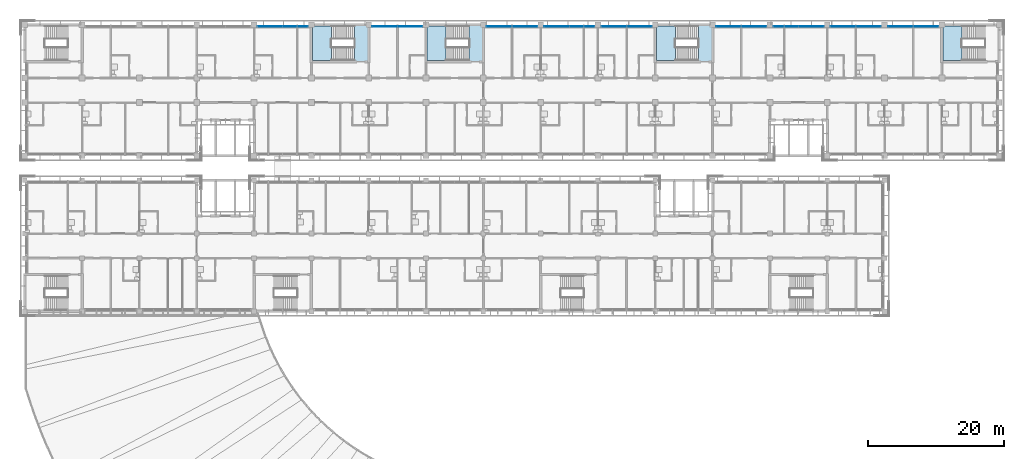
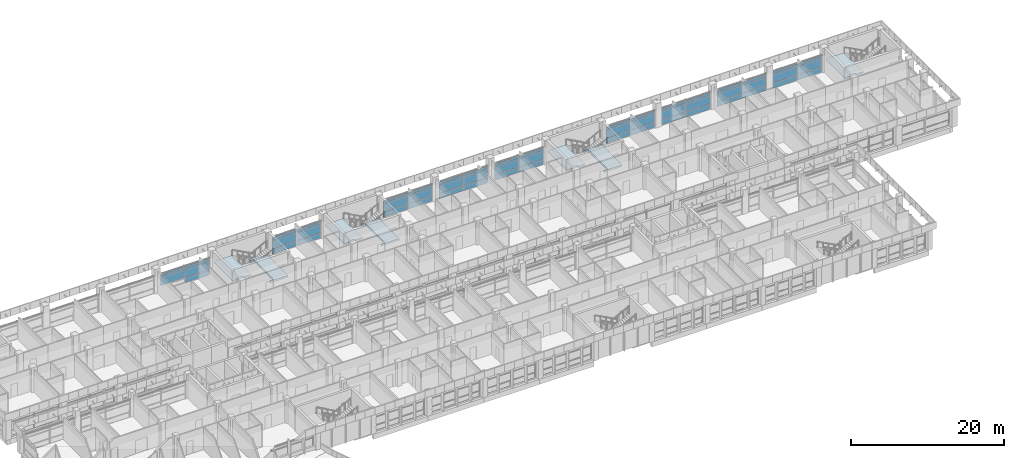
# One storey, part 26 of 74: 53 plates, 7 slabs, 13 elements without a shape of their own.
"""IFC4 building model written with IfcOpenShell, lengths in metres."""

import ifcopenshell
import ifcopenshell.guid

model = None  # the IFC model being written
_history = None  # IfcOwnerHistory: only IFC2X3 demands one
_inside = {}  # id of a spatial element -> (the spatial element, [elements in it])
_under = {}  # id of a project, library or spatial element -> (it, [spatial elements below it])
_declared = {}  # id of a project -> (the project, [libraries it declares])
_typed = {}  # id of a type object -> (the type object, [elements of that type])
_made_of = {}  # id of a material, layer set ... -> (it, [elements and type objects made of it])


def new_model(schema):
    """Start an empty IFC model of exactly this schema.

    Asked for "IFC4X3", IfcOpenShell would pick the latest addendum, in which some entities
    have other attributes; the version numbers below select the first issue.
    IFC2X3 requires an IfcOwnerHistory on every rooted entity: one is made here for all.
    """
    global model, _history
    if schema == "IFC4X3":
        model = ifcopenshell.file(schema_version=(4, 3, 0, 0))
    else:
        model = ifcopenshell.file(schema=schema)
    _inside.clear()
    _under.clear()
    _declared.clear()
    _typed.clear()
    _made_of.clear()
    _history = None
    if model.schema == "IFC2X3":
        org = make("IfcOrganization", Name="unknown")
        user = make(
            "IfcPersonAndOrganization",
            ThePerson=make("IfcPerson", FamilyName="unknown"),
            TheOrganization=org,
        )
        app = make(
            "IfcApplication",
            ApplicationDeveloper=org,
            Version="unknown",
            ApplicationFullName="unknown",
            ApplicationIdentifier="unknown",
        )
        _history = make(
            "IfcOwnerHistory",
            OwningUser=user,
            OwningApplication=app,
            ChangeAction="ADDED",
            CreationDate=0,
        )
    return model


def make(cls, **values):
    """One entity of the class cls with the attributes given. An attribute that is None is left unset."""
    return model.create_entity(
        cls, **{name: value for name, value in values.items() if value is not None}
    )


def rooted(cls, **values):
    """An entity with a GlobalId (a new one), such as an element, a storey or a relation."""
    return make(cls, GlobalId=ifcopenshell.guid.new(), OwnerHistory=_history, **values)


def si_unit(unit_type, name, prefix=None):
    """IfcSIUnit, for example si_unit("LENGTHUNIT", "METRE", prefix="MILLI")."""
    return make("IfcSIUnit", UnitType=unit_type, Prefix=prefix, Name=name)


def assignment(units):
    """IfcUnitAssignment: the units of a project."""
    return None if units is None else make("IfcUnitAssignment", Units=units)


def point(xyz):
    """IfcCartesianPoint."""
    return None if xyz is None else make("IfcCartesianPoint", Coordinates=xyz)


def direction(xyz):
    """IfcDirection."""
    return None if xyz is None else make("IfcDirection", DirectionRatios=xyz)


def frame(location, z_axis=None, x_axis=None):
    """IfcAxis2Placement3D, a coordinate frame: its origin and axes. An axis left out is left unset."""
    return make(
        "IfcAxis2Placement3D",
        Location=point(location),
        Axis=direction(z_axis),
        RefDirection=direction(x_axis),
    )


def frame_2d(location, x_axis=None):
    """IfcAxis2Placement2D, a coordinate frame in the plane: its origin and x axis."""
    return make(
        "IfcAxis2Placement2D", Location=point(location), RefDirection=direction(x_axis)
    )


def origin():
    """The frame at (0, 0, 0) with its axes left unset."""
    return frame((0.0, 0.0, 0.0))


def origin_2d():
    """The frame at (0, 0) in the plane with its x axis left unset."""
    return frame_2d((0.0, 0.0))


def place(relative_to, where):
    """IfcLocalPlacement: puts the frame where relative to a parent placement (None: the world)."""
    return make(
        "IfcLocalPlacement", PlacementRelTo=relative_to, RelativePlacement=where
    )


def context(
    kind, dimensions, precision=None, world=None, true_north=None, identifier=None
):
    """IfcGeometricRepresentationContext, for example the 3D "Model" context."""
    return make(
        "IfcGeometricRepresentationContext",
        ContextIdentifier=identifier,
        ContextType=kind,
        CoordinateSpaceDimension=dimensions,
        Precision=precision,
        WorldCoordinateSystem=world,
        TrueNorth=true_north,
    )


def subcontext(parent, identifier, kind, view, scale=None):
    """IfcGeometricRepresentationSubContext, for example "Body" below "Model"."""
    return make(
        "IfcGeometricRepresentationSubContext",
        ContextIdentifier=identifier,
        ContextType=kind,
        ParentContext=parent,
        TargetScale=scale,
        TargetView=view,
    )


def project(units=None, contexts=None):
    """IfcProject with its units and contexts."""
    return rooted(
        "IfcProject",
        Name="project",
        RepresentationContexts=contexts,
        UnitsInContext=assignment(units),
    )


def spatial(cls, under=None, at=None, **own):
    """A site, building, storey or space (cls), placed at a placement, below another one or the project."""
    s = rooted(cls, ObjectPlacement=at, **own)
    if under is not None:
        _under.setdefault(under.id(), (under, []))[1].append(s)
    return s


def polyline(points):
    """IfcPolyline through the points."""
    return make("IfcPolyline", Points=[point(p) for p in points])


def profile(cls, at=None, kind="AREA", **sizes):
    """A parametric profile (cls). Its sizes go by their IFC names, for example OverallWidth=200.0."""
    return make(cls, ProfileType=kind, Position=at, **sizes)


def rectangle(**sizes):
    """IfcRectangleProfileDef."""
    return profile("IfcRectangleProfileDef", **sizes)


def outline(outer, holes=None, kind="AREA"):
    """IfcArbitraryClosedProfileDef: a profile drawn as a closed curve; with holes, ...WithVoids."""
    if holes is None:
        return make("IfcArbitraryClosedProfileDef", ProfileType=kind, OuterCurve=outer)
    return make(
        "IfcArbitraryProfileDefWithVoids",
        ProfileType=kind,
        OuterCurve=outer,
        InnerCurves=holes,
    )


def extrude(swept, where, along, depth):
    """IfcExtrudedAreaSolid: the profile swept, set in the frame where, extruded along a direction by depth."""
    return make(
        "IfcExtrudedAreaSolid",
        SweptArea=swept,
        Position=where,
        ExtrudedDirection=direction(along),
        Depth=depth,
    )


def shape(context_of_items, identifier, shape_type, items):
    """IfcShapeRepresentation: the items that make up one representation, for example the "Body"."""
    return make(
        "IfcShapeRepresentation",
        ContextOfItems=context_of_items,
        RepresentationIdentifier=identifier,
        RepresentationType=shape_type,
        Items=items,
    )


def material(Name=None, Category=None):
    """IfcMaterial."""
    return make("IfcMaterial", Name=Name, Category=Category)


def layer(
    of_material, thickness, ventilated=None, Name=None, Category=None, Priority=None
):
    """IfcMaterialLayer: one layer of a wall or slab, of a material (None: an air gap)."""
    return make(
        "IfcMaterialLayer",
        Material=of_material,
        LayerThickness=thickness,
        IsVentilated=ventilated,
        Name=Name,
        Category=Category,
        Priority=Priority,
    )


def layer_set(layers, Name=None):
    """IfcMaterialLayerSet."""
    return make("IfcMaterialLayerSet", MaterialLayers=layers, LayerSetName=Name)


def made_of(thing, what):
    """Note that an element or type object is made of a material, layer set ...; save() writes the relation."""
    if what is not None:
        _made_of.setdefault(what.id(), (what, []))[1].append(thing)
    return thing


def type_object(cls, material=None, **own):
    """A type object (cls), such as IfcWallType, which elements share."""
    return made_of(rooted(cls, **own), material)


def element(
    cls,
    number,
    at=None,
    inside=None,
    cuts=None,
    type_object=None,
    material=None,
    context=None,
    identifier="Body",
    shape_type=None,
    held_by="IfcProductDefinitionShape",
    body=None,
    shapes=None,
    **own,
):
    """One element of the class cls, such as IfcWall. Its Tag is "e" and its number.

    at: its placement. inside: the storey or other place that contains it. cuts: it is an
    opening in that element (IfcRelVoidsElement). A single representation is given by context,
    identifier, shape_type and body (its items); several are given by shapes. held_by: the class
    of the entity that holds the representations. save() writes the other relations.
    """
    e = rooted(cls, Tag="e%d" % number, ObjectPlacement=at, **own)
    if body is not None:
        shapes = [shape(context, identifier, shape_type, body)]
    if shapes is not None:
        e.Representation = make(held_by, Representations=shapes)
    if inside is not None:
        _inside.setdefault(inside.id(), (inside, []))[1].append(e)
    if cuts is not None:
        rooted(
            "IfcRelVoidsElement", RelatingBuildingElement=cuts, RelatedOpeningElement=e
        )
    if type_object is not None:
        _typed.setdefault(type_object.id(), (type_object, []))[1].append(e)
    return made_of(e, material)


def aggregate(whole, parts):
    """IfcRelAggregates: a whole, such as a stair, and the parts it consists of."""
    return rooted("IfcRelAggregates", RelatingObject=whole, RelatedObjects=parts)


def save(model, path):
    """Write the relations noted so far, then the file.

    IfcRelAggregates (storeys below a building ...), IfcRelContainedInSpatialStructure (elements
    in a storey), IfcRelDefinesByType, IfcRelAssociatesMaterial and IfcRelDeclares: one each for
    every whole, place, type object, material and project.
    """
    for whole, parts in _under.values():
        aggregate(whole, parts)
    for where, things in _inside.values():
        rooted(
            "IfcRelContainedInSpatialStructure",
            RelatedElements=things,
            RelatingStructure=where,
        )
    for kind, things in _typed.values():
        rooted("IfcRelDefinesByType", RelatedObjects=things, RelatingType=kind)
    for what, things in _made_of.values():
        rooted("IfcRelAssociatesMaterial", RelatedObjects=things, RelatingMaterial=what)
    for by, libraries in _declared.values():
        rooted("IfcRelDeclares", RelatingContext=by, RelatedDefinitions=libraries)
    model.write(path)


model = new_model("IFC4")

# Units and contexts
model_context = context("Model", 3, precision=1e-05, world=origin(), true_north=direction((0.0, 1.0)))
body_context = subcontext(model_context, "Body", "Model", "MODEL_VIEW")
ifc_project = project(units=[si_unit("LENGTHUNIT", "METRE"), si_unit("AREAUNIT", "SQUARE_METRE"), si_unit("VOLUMEUNIT", "CUBIC_METRE"), si_unit("PLANEANGLEUNIT", "RADIAN"), si_unit("MASSUNIT", "GRAM", prefix="KILO")], contexts=[model_context])

# Site, building, storey
site_placement = place(None, origin())
site = spatial("IfcSite", under=ifc_project, at=site_placement, CompositionType="ELEMENT")
building_placement = place(site_placement, origin())
building = spatial("IfcBuilding", under=site, at=building_placement, Name="Bougainvillea Quay General Hospital", CompositionType="ELEMENT")
storey_placement = place(building_placement, frame((0.0, 0.0, 21.0)))
storey = spatial("IfcBuildingStorey", under=building, at=storey_placement, Name="L04", CompositionType="ELEMENT", Elevation=21.0)

# Curtain wall, plates
ifc_material_1 = material(Name="Aluminium curtain wall system, powder-coated glazed", Category="aluminium")
curtain_wall_type = type_object("IfcCurtainWallType", Name="Unitised curtain wall CW-3730", PredefinedType="NOTDEFINED", material=ifc_material_1)
curtain_wall_1_placement = place(storey_placement, origin())
curtain_wall_1 = element("IfcCurtainWall", 1, at=curtain_wall_1_placement, inside=storey, type_object=curtain_wall_type, Name="CW-4200 00", PredefinedType="NOTDEFINED")
ifc_material_2 = material(Name="Insulated aluminium spandrel panel, white", Category="aluminium")
ifc_layer_1 = layer(ifc_material_2, 0.028076171875)
ifc_layer_set_1 = layer_set([ifc_layer_1], Name="Insulated aluminium spandrel panel, white")
plate_type_1 = type_object("IfcPlateType", Name="Insulated spandrel panel white 28", PredefinedType="CURTAIN_PANEL", material=ifc_layer_set_1)
plate_1_placement = place(storey_placement, frame((174.050048828125, 159.35009765625, 0.06005859375), z_axis=(0.0, 0.0, 1.0), x_axis=(-1.0, 0.0, 0.0)))
plate_1 = element("IfcPlate", 2, at=plate_1_placement, type_object=plate_type_1, Name="CW-4200 spandrel panel 1.1", PredefinedType="CURTAIN_PANEL", context=body_context, shape_type="SweptSolid", body=[
    extrude(rectangle(XDim=3.639892578125, YDim=0.028076171875, at=origin_2d()), origin(), (0.0, 0.0, 1.0), 0.81005859375),
])
plate_2_placement = place(storey_placement, frame((174.050048828125, 159.35009765625, 2.2802734375), z_axis=(0.0, 0.0, 1.0), x_axis=(-1.0, 0.0, 0.0)))
plate_2 = element("IfcPlate", 3, at=plate_2_placement, type_object=plate_type_1, Name="CW-4200 spandrel panel 1.3", PredefinedType="CURTAIN_PANEL", context=body_context, shape_type="SweptSolid", body=[
    extrude(rectangle(XDim=3.639892578125, YDim=0.028076171875, at=origin_2d()), origin(), (0.0, 0.0, 1.0), 0.409912109375),
])
plate_3_placement = place(storey_placement, frame((170.35009765625, 159.35009765625, 0.06005859375), z_axis=(0.0, 0.0, 1.0), x_axis=(-1.0, 0.0, 0.0)))
plate_3 = element("IfcPlate", 4, at=plate_3_placement, type_object=plate_type_1, Name="CW-4200 spandrel panel 2.1", PredefinedType="CURTAIN_PANEL", context=body_context, shape_type="SweptSolid", body=[
    extrude(rectangle(XDim=3.639892578125, YDim=0.028076171875, at=origin_2d()), origin(), (0.0, 0.0, 1.0), 0.81005859375),
])
plate_4_placement = place(storey_placement, frame((170.35009765625, 159.35009765625, 2.2802734375), z_axis=(0.0, 0.0, 1.0), x_axis=(-1.0, 0.0, 0.0)))
plate_4 = element("IfcPlate", 5, at=plate_4_placement, type_object=plate_type_1, Name="CW-4200 spandrel panel 2.3", PredefinedType="CURTAIN_PANEL", context=body_context, shape_type="SweptSolid", body=[
    extrude(rectangle(XDim=3.639892578125, YDim=0.028076171875, at=origin_2d()), origin(), (0.0, 0.0, 1.0), 0.409912109375),
])

curtain_wall_2_placement = place(storey_placement, origin())
curtain_wall_2 = element("IfcCurtainWall", 6, at=curtain_wall_2_placement, inside=storey, type_object=curtain_wall_type, Name="CW-4200 01", PredefinedType="NOTDEFINED")
plate_5_placement = place(storey_placement, frame((165.64990234375, 159.35009765625, 0.06005859375), z_axis=(0.0, 0.0, 1.0), x_axis=(-1.0, 0.0, 0.0)))
plate_5 = element("IfcPlate", 7, at=plate_5_placement, type_object=plate_type_1, Name="CW-4200 spandrel panel 1.1", PredefinedType="CURTAIN_PANEL", context=body_context, shape_type="SweptSolid", body=[
    extrude(rectangle(XDim=3.639892578125, YDim=0.028076171875, at=origin_2d()), origin(), (0.0, 0.0, 1.0), 0.81005859375),
])
plate_6_placement = place(storey_placement, frame((165.64990234375, 159.35009765625, 2.2802734375), z_axis=(0.0, 0.0, 1.0), x_axis=(-1.0, 0.0, 0.0)))
plate_6 = element("IfcPlate", 8, at=plate_6_placement, type_object=plate_type_1, Name="CW-4200 spandrel panel 1.3", PredefinedType="CURTAIN_PANEL", context=body_context, shape_type="SweptSolid", body=[
    extrude(rectangle(XDim=3.639892578125, YDim=0.028076171875, at=origin_2d()), origin(), (0.0, 0.0, 1.0), 0.409912109375),
])
plate_7_placement = place(storey_placement, frame((161.949951171875, 159.35009765625, 0.06005859375), z_axis=(0.0, 0.0, 1.0), x_axis=(-1.0, 0.0, 0.0)))
plate_7 = element("IfcPlate", 9, at=plate_7_placement, type_object=plate_type_1, Name="CW-4200 spandrel panel 2.1", PredefinedType="CURTAIN_PANEL", context=body_context, shape_type="SweptSolid", body=[
    extrude(rectangle(XDim=3.639892578125, YDim=0.028076171875, at=origin_2d()), origin(), (0.0, 0.0, 1.0), 0.81005859375),
])
plate_8_placement = place(storey_placement, frame((161.949951171875, 159.35009765625, 2.2802734375), z_axis=(0.0, 0.0, 1.0), x_axis=(-1.0, 0.0, 0.0)))
plate_8 = element("IfcPlate", 10, at=plate_8_placement, type_object=plate_type_1, Name="CW-4200 spandrel panel 2.3", PredefinedType="CURTAIN_PANEL", context=body_context, shape_type="SweptSolid", body=[
    extrude(rectangle(XDim=3.639892578125, YDim=0.028076171875, at=origin_2d()), origin(), (0.0, 0.0, 1.0), 0.409912109375),
])

curtain_wall_3_placement = place(storey_placement, origin())
curtain_wall_3 = element("IfcCurtainWall", 11, at=curtain_wall_3_placement, inside=storey, type_object=curtain_wall_type, Name="CW-4200 02", PredefinedType="NOTDEFINED")
plate_9_placement = place(storey_placement, frame((157.25, 159.35009765625, 0.06005859375), z_axis=(0.0, 0.0, 1.0), x_axis=(-1.0, 0.0, 0.0)))
plate_9 = element("IfcPlate", 12, at=plate_9_placement, type_object=plate_type_1, Name="CW-4200 spandrel panel 1.1", PredefinedType="CURTAIN_PANEL", context=body_context, shape_type="SweptSolid", body=[
    extrude(rectangle(XDim=3.639892578125, YDim=0.028076171875, at=origin_2d()), origin(), (0.0, 0.0, 1.0), 0.81005859375),
])
plate_10_placement = place(storey_placement, frame((157.25, 159.35009765625, 2.2802734375), z_axis=(0.0, 0.0, 1.0), x_axis=(-1.0, 0.0, 0.0)))
plate_10 = element("IfcPlate", 13, at=plate_10_placement, type_object=plate_type_1, Name="CW-4200 spandrel panel 1.3", PredefinedType="CURTAIN_PANEL", context=body_context, shape_type="SweptSolid", body=[
    extrude(rectangle(XDim=3.639892578125, YDim=0.028076171875, at=origin_2d()), origin(), (0.0, 0.0, 1.0), 0.409912109375),
])
plate_11_placement = place(storey_placement, frame((153.550048828125, 159.35009765625, 0.06005859375), z_axis=(0.0, 0.0, 1.0), x_axis=(-1.0, 0.0, 0.0)))
plate_11 = element("IfcPlate", 14, at=plate_11_placement, type_object=plate_type_1, Name="CW-4200 spandrel panel 2.1", PredefinedType="CURTAIN_PANEL", context=body_context, shape_type="SweptSolid", body=[
    extrude(rectangle(XDim=3.639892578125, YDim=0.028076171875, at=origin_2d()), origin(), (0.0, 0.0, 1.0), 0.81005859375),
])
plate_12_placement = place(storey_placement, frame((153.550048828125, 159.35009765625, 2.2802734375), z_axis=(0.0, 0.0, 1.0), x_axis=(-1.0, 0.0, 0.0)))
plate_12 = element("IfcPlate", 15, at=plate_12_placement, type_object=plate_type_1, Name="CW-4200 spandrel panel 2.3", PredefinedType="CURTAIN_PANEL", context=body_context, shape_type="SweptSolid", body=[
    extrude(rectangle(XDim=3.639892578125, YDim=0.028076171875, at=origin_2d()), origin(), (0.0, 0.0, 1.0), 0.409912109375),
])

curtain_wall_4_placement = place(storey_placement, origin())
curtain_wall_4 = element("IfcCurtainWall", 16, at=curtain_wall_4_placement, inside=storey, type_object=curtain_wall_type, Name="CW-4200 03", PredefinedType="NOTDEFINED")
plate_13_placement = place(storey_placement, frame((148.85009765625, 159.35009765625, 0.06005859375), z_axis=(0.0, 0.0, 1.0), x_axis=(-1.0, 0.0, 0.0)))
plate_13 = element("IfcPlate", 17, at=plate_13_placement, type_object=plate_type_1, Name="CW-4200 spandrel panel 1.1", PredefinedType="CURTAIN_PANEL", context=body_context, shape_type="SweptSolid", body=[
    extrude(rectangle(XDim=3.639892578125, YDim=0.028076171875, at=origin_2d()), origin(), (0.0, 0.0, 1.0), 0.81005859375),
])
plate_14_placement = place(storey_placement, frame((148.85009765625, 159.35009765625, 2.2802734375), z_axis=(0.0, 0.0, 1.0), x_axis=(-1.0, 0.0, 0.0)))
plate_14 = element("IfcPlate", 18, at=plate_14_placement, type_object=plate_type_1, Name="CW-4200 spandrel panel 1.3", PredefinedType="CURTAIN_PANEL", context=body_context, shape_type="SweptSolid", body=[
    extrude(rectangle(XDim=3.639892578125, YDim=0.028076171875, at=origin_2d()), origin(), (0.0, 0.0, 1.0), 0.409912109375),
])
plate_15_placement = place(storey_placement, frame((145.14990234375, 159.35009765625, 0.06005859375), z_axis=(0.0, 0.0, 1.0), x_axis=(-1.0, 0.0, 0.0)))
plate_15 = element("IfcPlate", 19, at=plate_15_placement, type_object=plate_type_1, Name="CW-4200 spandrel panel 2.1", PredefinedType="CURTAIN_PANEL", context=body_context, shape_type="SweptSolid", body=[
    extrude(rectangle(XDim=3.639892578125, YDim=0.028076171875, at=origin_2d()), origin(), (0.0, 0.0, 1.0), 0.81005859375),
])
plate_16_placement = place(storey_placement, frame((145.14990234375, 159.35009765625, 2.2802734375), z_axis=(0.0, 0.0, 1.0), x_axis=(-1.0, 0.0, 0.0)))
plate_16 = element("IfcPlate", 20, at=plate_16_placement, type_object=plate_type_1, Name="CW-4200 spandrel panel 2.3", PredefinedType="CURTAIN_PANEL", context=body_context, shape_type="SweptSolid", body=[
    extrude(rectangle(XDim=3.639892578125, YDim=0.028076171875, at=origin_2d()), origin(), (0.0, 0.0, 1.0), 0.409912109375),
])

curtain_wall_5_placement = place(storey_placement, origin())
curtain_wall_5 = element("IfcCurtainWall", 21, at=curtain_wall_5_placement, inside=storey, type_object=curtain_wall_type, Name="CW-4200 04", PredefinedType="NOTDEFINED")
plate_17_placement = place(storey_placement, frame((132.050048828125, 159.35009765625, 0.06005859375), z_axis=(0.0, 0.0, 1.0), x_axis=(-1.0, 0.0, 0.0)))
plate_17 = element("IfcPlate", 22, at=plate_17_placement, type_object=plate_type_1, Name="CW-4200 spandrel panel 1.1", PredefinedType="CURTAIN_PANEL", context=body_context, shape_type="SweptSolid", body=[
    extrude(rectangle(XDim=3.639892578125, YDim=0.028076171875, at=origin_2d()), origin(), (0.0, 0.0, 1.0), 0.81005859375),
])
plate_18_placement = place(storey_placement, frame((132.050048828125, 159.35009765625, 2.2802734375), z_axis=(0.0, 0.0, 1.0), x_axis=(-1.0, 0.0, 0.0)))
plate_18 = element("IfcPlate", 23, at=plate_18_placement, type_object=plate_type_1, Name="CW-4200 spandrel panel 1.3", PredefinedType="CURTAIN_PANEL", context=body_context, shape_type="SweptSolid", body=[
    extrude(rectangle(XDim=3.639892578125, YDim=0.028076171875, at=origin_2d()), origin(), (0.0, 0.0, 1.0), 0.409912109375),
])
plate_19_placement = place(storey_placement, frame((128.35009765625, 159.35009765625, 0.06005859375), z_axis=(0.0, 0.0, 1.0), x_axis=(-1.0, 0.0, 0.0)))
plate_19 = element("IfcPlate", 24, at=plate_19_placement, type_object=plate_type_1, Name="CW-4200 spandrel panel 2.1", PredefinedType="CURTAIN_PANEL", context=body_context, shape_type="SweptSolid", body=[
    extrude(rectangle(XDim=3.639892578125, YDim=0.028076171875, at=origin_2d()), origin(), (0.0, 0.0, 1.0), 0.81005859375),
])
plate_20_placement = place(storey_placement, frame((128.35009765625, 159.35009765625, 2.2802734375), z_axis=(0.0, 0.0, 1.0), x_axis=(-1.0, 0.0, 0.0)))
plate_20 = element("IfcPlate", 25, at=plate_20_placement, type_object=plate_type_1, Name="CW-4200 spandrel panel 2.3", PredefinedType="CURTAIN_PANEL", context=body_context, shape_type="SweptSolid", body=[
    extrude(rectangle(XDim=3.639892578125, YDim=0.028076171875, at=origin_2d()), origin(), (0.0, 0.0, 1.0), 0.409912109375),
])

curtain_wall_6_placement = place(storey_placement, origin())
curtain_wall_6 = element("IfcCurtainWall", 26, at=curtain_wall_6_placement, inside=storey, type_object=curtain_wall_type, Name="CW-4200 05", PredefinedType="NOTDEFINED")
plate_21_placement = place(storey_placement, frame((123.64990234375, 159.35009765625, 0.06005859375), z_axis=(0.0, 0.0, 1.0), x_axis=(-1.0, 0.0, 0.0)))
plate_21 = element("IfcPlate", 27, at=plate_21_placement, type_object=plate_type_1, Name="CW-4200 spandrel panel 1.1", PredefinedType="CURTAIN_PANEL", context=body_context, shape_type="SweptSolid", body=[
    extrude(rectangle(XDim=3.639892578125, YDim=0.028076171875, at=origin_2d()), origin(), (0.0, 0.0, 1.0), 0.81005859375),
])
plate_22_placement = place(storey_placement, frame((123.64990234375, 159.35009765625, 2.2802734375), z_axis=(0.0, 0.0, 1.0), x_axis=(-1.0, 0.0, 0.0)))
plate_22 = element("IfcPlate", 28, at=plate_22_placement, type_object=plate_type_1, Name="CW-4200 spandrel panel 1.3", PredefinedType="CURTAIN_PANEL", context=body_context, shape_type="SweptSolid", body=[
    extrude(rectangle(XDim=3.639892578125, YDim=0.028076171875, at=origin_2d()), origin(), (0.0, 0.0, 1.0), 0.409912109375),
])
plate_23_placement = place(storey_placement, frame((119.949951171875, 159.35009765625, 0.06005859375), z_axis=(0.0, 0.0, 1.0), x_axis=(-1.0, 0.0, 0.0)))
plate_23 = element("IfcPlate", 29, at=plate_23_placement, type_object=plate_type_1, Name="CW-4200 spandrel panel 2.1", PredefinedType="CURTAIN_PANEL", context=body_context, shape_type="SweptSolid", body=[
    extrude(rectangle(XDim=3.639892578125, YDim=0.028076171875, at=origin_2d()), origin(), (0.0, 0.0, 1.0), 0.81005859375),
])
plate_24_placement = place(storey_placement, frame((119.949951171875, 159.35009765625, 2.2802734375), z_axis=(0.0, 0.0, 1.0), x_axis=(-1.0, 0.0, 0.0)))
plate_24 = element("IfcPlate", 30, at=plate_24_placement, type_object=plate_type_1, Name="CW-4200 spandrel panel 2.3", PredefinedType="CURTAIN_PANEL", context=body_context, shape_type="SweptSolid", body=[
    extrude(rectangle(XDim=3.639892578125, YDim=0.028076171875, at=origin_2d()), origin(), (0.0, 0.0, 1.0), 0.409912109375),
])

curtain_wall_7_placement = place(storey_placement, origin())
curtain_wall_7 = element("IfcCurtainWall", 31, at=curtain_wall_7_placement, inside=storey, type_object=curtain_wall_type, Name="CW-4200 06", PredefinedType="NOTDEFINED")
plate_25_placement = place(storey_placement, frame((115.25, 159.35009765625, 0.06005859375), z_axis=(0.0, 0.0, 1.0), x_axis=(-1.0, 0.0, 0.0)))
plate_25 = element("IfcPlate", 32, at=plate_25_placement, type_object=plate_type_1, Name="CW-4200 spandrel panel 1.1", PredefinedType="CURTAIN_PANEL", context=body_context, shape_type="SweptSolid", body=[
    extrude(rectangle(XDim=3.639892578125, YDim=0.028076171875, at=origin_2d()), origin(), (0.0, 0.0, 1.0), 0.81005859375),
])
plate_26_placement = place(storey_placement, frame((115.25, 159.35009765625, 2.2802734375), z_axis=(0.0, 0.0, 1.0), x_axis=(-1.0, 0.0, 0.0)))
plate_26 = element("IfcPlate", 33, at=plate_26_placement, type_object=plate_type_1, Name="CW-4200 spandrel panel 1.3", PredefinedType="CURTAIN_PANEL", context=body_context, shape_type="SweptSolid", body=[
    extrude(rectangle(XDim=3.639892578125, YDim=0.028076171875, at=origin_2d()), origin(), (0.0, 0.0, 1.0), 0.409912109375),
])
plate_27_placement = place(storey_placement, frame((111.550048828125, 159.35009765625, 0.06005859375), z_axis=(0.0, 0.0, 1.0), x_axis=(-1.0, 0.0, 0.0)))
plate_27 = element("IfcPlate", 34, at=plate_27_placement, type_object=plate_type_1, Name="CW-4200 spandrel panel 2.1", PredefinedType="CURTAIN_PANEL", context=body_context, shape_type="SweptSolid", body=[
    extrude(rectangle(XDim=3.639892578125, YDim=0.028076171875, at=origin_2d()), origin(), (0.0, 0.0, 1.0), 0.81005859375),
])
plate_28_placement = place(storey_placement, frame((111.550048828125, 159.35009765625, 2.2802734375), z_axis=(0.0, 0.0, 1.0), x_axis=(-1.0, 0.0, 0.0)))
plate_28 = element("IfcPlate", 35, at=plate_28_placement, type_object=plate_type_1, Name="CW-4200 spandrel panel 2.3", PredefinedType="CURTAIN_PANEL", context=body_context, shape_type="SweptSolid", body=[
    extrude(rectangle(XDim=3.639892578125, YDim=0.028076171875, at=origin_2d()), origin(), (0.0, 0.0, 1.0), 0.409912109375),
])

curtain_wall_8_placement = place(storey_placement, origin())
curtain_wall_8 = element("IfcCurtainWall", 36, at=curtain_wall_8_placement, inside=storey, type_object=curtain_wall_type, Name="CW-4200 07", PredefinedType="NOTDEFINED")
plate_29_placement = place(storey_placement, frame((98.449951171875, 159.35009765625, 0.06005859375), z_axis=(0.0, 0.0, 1.0), x_axis=(-1.0, 0.0, 0.0)))
plate_29 = element("IfcPlate", 37, at=plate_29_placement, type_object=plate_type_1, Name="CW-4200 spandrel panel 1.1", PredefinedType="CURTAIN_PANEL", context=body_context, shape_type="SweptSolid", body=[
    extrude(rectangle(XDim=3.639892578125, YDim=0.028076171875, at=origin_2d()), origin(), (0.0, 0.0, 1.0), 0.81005859375),
])
plate_30_placement = place(storey_placement, frame((98.449951171875, 159.35009765625, 2.2802734375), z_axis=(0.0, 0.0, 1.0), x_axis=(-1.0, 0.0, 0.0)))
plate_30 = element("IfcPlate", 38, at=plate_30_placement, type_object=plate_type_1, Name="CW-4200 spandrel panel 1.3", PredefinedType="CURTAIN_PANEL", context=body_context, shape_type="SweptSolid", body=[
    extrude(rectangle(XDim=3.639892578125, YDim=0.028076171875, at=origin_2d()), origin(), (0.0, 0.0, 1.0), 0.409912109375),
])
plate_31_placement = place(storey_placement, frame((94.75, 159.35009765625, 0.06005859375), z_axis=(0.0, 0.0, 1.0), x_axis=(-1.0, 0.0, 0.0)))
plate_31 = element("IfcPlate", 39, at=plate_31_placement, type_object=plate_type_1, Name="CW-4200 spandrel panel 2.1", PredefinedType="CURTAIN_PANEL", context=body_context, shape_type="SweptSolid", body=[
    extrude(rectangle(XDim=3.639892578125, YDim=0.028076171875, at=origin_2d()), origin(), (0.0, 0.0, 1.0), 0.81005859375),
])
plate_32_placement = place(storey_placement, frame((94.75, 159.35009765625, 2.2802734375), z_axis=(0.0, 0.0, 1.0), x_axis=(-1.0, 0.0, 0.0)))
plate_32 = element("IfcPlate", 40, at=plate_32_placement, type_object=plate_type_1, Name="CW-4200 spandrel panel 2.3", PredefinedType="CURTAIN_PANEL", context=body_context, shape_type="SweptSolid", body=[
    extrude(rectangle(XDim=3.639892578125, YDim=0.028076171875, at=origin_2d()), origin(), (0.0, 0.0, 1.0), 0.409912109375),
])

curtain_wall_9_placement = place(storey_placement, origin())
curtain_wall_9 = element("IfcCurtainWall", 41, at=curtain_wall_9_placement, inside=storey, type_object=curtain_wall_type, Name="CW-4200 08", PredefinedType="NOTDEFINED")
plate_33_placement = place(storey_placement, frame((81.64990234375, 159.35009765625, 0.06005859375), z_axis=(0.0, 0.0, 1.0), x_axis=(-1.0, 0.0, 0.0)))
plate_33 = element("IfcPlate", 42, at=plate_33_placement, type_object=plate_type_1, Name="CW-4200 spandrel panel 1.1", PredefinedType="CURTAIN_PANEL", context=body_context, shape_type="SweptSolid", body=[
    extrude(rectangle(XDim=3.639892578125, YDim=0.028076171875, at=origin_2d()), origin(), (0.0, 0.0, 1.0), 0.81005859375),
])
plate_34_placement = place(storey_placement, frame((81.64990234375, 159.35009765625, 2.2802734375), z_axis=(0.0, 0.0, 1.0), x_axis=(-1.0, 0.0, 0.0)))
plate_34 = element("IfcPlate", 43, at=plate_34_placement, type_object=plate_type_1, Name="CW-4200 spandrel panel 1.3", PredefinedType="CURTAIN_PANEL", context=body_context, shape_type="SweptSolid", body=[
    extrude(rectangle(XDim=3.639892578125, YDim=0.028076171875, at=origin_2d()), origin(), (0.0, 0.0, 1.0), 0.409912109375),
])
plate_35_placement = place(storey_placement, frame((77.949951171875, 159.35009765625, 2.2802734375), z_axis=(0.0, 0.0, 1.0), x_axis=(-1.0, 0.0, 0.0)))
plate_35 = element("IfcPlate", 44, at=plate_35_placement, type_object=plate_type_1, Name="CW-4200 spandrel panel 2.3", PredefinedType="CURTAIN_PANEL", context=body_context, shape_type="SweptSolid", body=[
    extrude(rectangle(XDim=3.639892578125, YDim=0.028076171875, at=origin_2d()), origin(), (0.0, 0.0, 1.0), 0.409912109375),
])

# Plate
ifc_material_3 = material(Name="Low-e laminated glass, solar control", Category="glass")
ifc_layer_2 = layer(ifc_material_3, 0.028076171875)
ifc_layer_set_2 = layer_set([ifc_layer_2], Name="Low-e laminated glass, solar control")
plate_type_2 = type_object("IfcPlateType", Name="Low-e laminated vision glass 28", PredefinedType="CURTAIN_PANEL", material=ifc_layer_set_2)
plate_36_placement = place(storey_placement, frame((174.050048828125, 159.35009765625, 0.929931640625), z_axis=(0.0, 0.0, 1.0), x_axis=(-1.0, 0.0, 0.0)))
plate_36 = element("IfcPlate", 45, at=plate_36_placement, type_object=plate_type_2, Name="CW-4200 vision glass panel 1.2", PredefinedType="CURTAIN_PANEL", context=body_context, shape_type="SweptSolid", body=[
    extrude(rectangle(XDim=3.639892578125, YDim=0.028076171875, at=origin_2d()), origin(), (0.0, 0.0, 1.0), 1.2900390625),
])

plate_37_placement = place(storey_placement, frame((170.35009765625, 159.35009765625, 0.929931640625), z_axis=(0.0, 0.0, 1.0), x_axis=(-1.0, 0.0, 0.0)))
plate_37 = element("IfcPlate", 46, at=plate_37_placement, type_object=plate_type_2, Name="CW-4200 vision glass panel 2.2", PredefinedType="CURTAIN_PANEL", context=body_context, shape_type="SweptSolid", body=[
    extrude(rectangle(XDim=3.639892578125, YDim=0.028076171875, at=origin_2d()), origin(), (0.0, 0.0, 1.0), 1.2900390625),
])

aggregate(curtain_wall_1, [plate_1, plate_36, plate_2, plate_3, plate_37, plate_4])

plate_38_placement = place(storey_placement, frame((165.64990234375, 159.35009765625, 0.929931640625), z_axis=(0.0, 0.0, 1.0), x_axis=(-1.0, 0.0, 0.0)))
plate_38 = element("IfcPlate", 47, at=plate_38_placement, type_object=plate_type_2, Name="CW-4200 vision glass panel 1.2", PredefinedType="CURTAIN_PANEL", context=body_context, shape_type="SweptSolid", body=[
    extrude(rectangle(XDim=3.639892578125, YDim=0.028076171875, at=origin_2d()), origin(), (0.0, 0.0, 1.0), 1.2900390625),
])

plate_39_placement = place(storey_placement, frame((161.949951171875, 159.35009765625, 0.929931640625), z_axis=(0.0, 0.0, 1.0), x_axis=(-1.0, 0.0, 0.0)))
plate_39 = element("IfcPlate", 48, at=plate_39_placement, type_object=plate_type_2, Name="CW-4200 vision glass panel 2.2", PredefinedType="CURTAIN_PANEL", context=body_context, shape_type="SweptSolid", body=[
    extrude(rectangle(XDim=3.639892578125, YDim=0.028076171875, at=origin_2d()), origin(), (0.0, 0.0, 1.0), 1.2900390625),
])

aggregate(curtain_wall_2, [plate_5, plate_38, plate_6, plate_7, plate_39, plate_8])

plate_40_placement = place(storey_placement, frame((157.25, 159.35009765625, 0.929931640625), z_axis=(0.0, 0.0, 1.0), x_axis=(-1.0, 0.0, 0.0)))
plate_40 = element("IfcPlate", 49, at=plate_40_placement, type_object=plate_type_2, Name="CW-4200 vision glass panel 1.2", PredefinedType="CURTAIN_PANEL", context=body_context, shape_type="SweptSolid", body=[
    extrude(rectangle(XDim=3.639892578125, YDim=0.028076171875, at=origin_2d()), origin(), (0.0, 0.0, 1.0), 1.2900390625),
])

plate_41_placement = place(storey_placement, frame((153.550048828125, 159.35009765625, 0.929931640625), z_axis=(0.0, 0.0, 1.0), x_axis=(-1.0, 0.0, 0.0)))
plate_41 = element("IfcPlate", 50, at=plate_41_placement, type_object=plate_type_2, Name="CW-4200 vision glass panel 2.2", PredefinedType="CURTAIN_PANEL", context=body_context, shape_type="SweptSolid", body=[
    extrude(rectangle(XDim=3.639892578125, YDim=0.028076171875, at=origin_2d()), origin(), (0.0, 0.0, 1.0), 1.2900390625),
])

aggregate(curtain_wall_3, [plate_9, plate_40, plate_10, plate_11, plate_41, plate_12])

plate_42_placement = place(storey_placement, frame((148.85009765625, 159.35009765625, 0.929931640625), z_axis=(0.0, 0.0, 1.0), x_axis=(-1.0, 0.0, 0.0)))
plate_42 = element("IfcPlate", 51, at=plate_42_placement, type_object=plate_type_2, Name="CW-4200 vision glass panel 1.2", PredefinedType="CURTAIN_PANEL", context=body_context, shape_type="SweptSolid", body=[
    extrude(rectangle(XDim=3.639892578125, YDim=0.028076171875, at=origin_2d()), origin(), (0.0, 0.0, 1.0), 1.2900390625),
])

plate_43_placement = place(storey_placement, frame((145.14990234375, 159.35009765625, 0.929931640625), z_axis=(0.0, 0.0, 1.0), x_axis=(-1.0, 0.0, 0.0)))
plate_43 = element("IfcPlate", 52, at=plate_43_placement, type_object=plate_type_2, Name="CW-4200 vision glass panel 2.2", PredefinedType="CURTAIN_PANEL", context=body_context, shape_type="SweptSolid", body=[
    extrude(rectangle(XDim=3.639892578125, YDim=0.028076171875, at=origin_2d()), origin(), (0.0, 0.0, 1.0), 1.2900390625),
])

aggregate(curtain_wall_4, [plate_13, plate_42, plate_14, plate_15, plate_43, plate_16])

plate_44_placement = place(storey_placement, frame((132.050048828125, 159.35009765625, 0.929931640625), z_axis=(0.0, 0.0, 1.0), x_axis=(-1.0, 0.0, 0.0)))
plate_44 = element("IfcPlate", 53, at=plate_44_placement, type_object=plate_type_2, Name="CW-4200 vision glass panel 1.2", PredefinedType="CURTAIN_PANEL", context=body_context, shape_type="SweptSolid", body=[
    extrude(rectangle(XDim=3.639892578125, YDim=0.028076171875, at=origin_2d()), origin(), (0.0, 0.0, 1.0), 1.2900390625),
])

plate_45_placement = place(storey_placement, frame((128.35009765625, 159.35009765625, 0.929931640625), z_axis=(0.0, 0.0, 1.0), x_axis=(-1.0, 0.0, 0.0)))
plate_45 = element("IfcPlate", 54, at=plate_45_placement, type_object=plate_type_2, Name="CW-4200 vision glass panel 2.2", PredefinedType="CURTAIN_PANEL", context=body_context, shape_type="SweptSolid", body=[
    extrude(rectangle(XDim=3.639892578125, YDim=0.028076171875, at=origin_2d()), origin(), (0.0, 0.0, 1.0), 1.2900390625),
])

aggregate(curtain_wall_5, [plate_17, plate_44, plate_18, plate_19, plate_45, plate_20])

plate_46_placement = place(storey_placement, frame((123.64990234375, 159.35009765625, 0.929931640625), z_axis=(0.0, 0.0, 1.0), x_axis=(-1.0, 0.0, 0.0)))
plate_46 = element("IfcPlate", 55, at=plate_46_placement, type_object=plate_type_2, Name="CW-4200 vision glass panel 1.2", PredefinedType="CURTAIN_PANEL", context=body_context, shape_type="SweptSolid", body=[
    extrude(rectangle(XDim=3.639892578125, YDim=0.028076171875, at=origin_2d()), origin(), (0.0, 0.0, 1.0), 1.2900390625),
])

plate_47_placement = place(storey_placement, frame((119.949951171875, 159.35009765625, 0.929931640625), z_axis=(0.0, 0.0, 1.0), x_axis=(-1.0, 0.0, 0.0)))
plate_47 = element("IfcPlate", 56, at=plate_47_placement, type_object=plate_type_2, Name="CW-4200 vision glass panel 2.2", PredefinedType="CURTAIN_PANEL", context=body_context, shape_type="SweptSolid", body=[
    extrude(rectangle(XDim=3.639892578125, YDim=0.028076171875, at=origin_2d()), origin(), (0.0, 0.0, 1.0), 1.2900390625),
])

aggregate(curtain_wall_6, [plate_21, plate_46, plate_22, plate_23, plate_47, plate_24])

plate_48_placement = place(storey_placement, frame((115.25, 159.35009765625, 0.929931640625), z_axis=(0.0, 0.0, 1.0), x_axis=(-1.0, 0.0, 0.0)))
plate_48 = element("IfcPlate", 57, at=plate_48_placement, type_object=plate_type_2, Name="CW-4200 vision glass panel 1.2", PredefinedType="CURTAIN_PANEL", context=body_context, shape_type="SweptSolid", body=[
    extrude(rectangle(XDim=3.639892578125, YDim=0.028076171875, at=origin_2d()), origin(), (0.0, 0.0, 1.0), 1.2900390625),
])

plate_49_placement = place(storey_placement, frame((111.550048828125, 159.35009765625, 0.929931640625), z_axis=(0.0, 0.0, 1.0), x_axis=(-1.0, 0.0, 0.0)))
plate_49 = element("IfcPlate", 58, at=plate_49_placement, type_object=plate_type_2, Name="CW-4200 vision glass panel 2.2", PredefinedType="CURTAIN_PANEL", context=body_context, shape_type="SweptSolid", body=[
    extrude(rectangle(XDim=3.639892578125, YDim=0.028076171875, at=origin_2d()), origin(), (0.0, 0.0, 1.0), 1.2900390625),
])

aggregate(curtain_wall_7, [plate_25, plate_48, plate_26, plate_27, plate_49, plate_28])

plate_50_placement = place(storey_placement, frame((98.449951171875, 159.35009765625, 0.929931640625), z_axis=(0.0, 0.0, 1.0), x_axis=(-1.0, 0.0, 0.0)))
plate_50 = element("IfcPlate", 59, at=plate_50_placement, type_object=plate_type_2, Name="CW-4200 vision glass panel 1.2", PredefinedType="CURTAIN_PANEL", context=body_context, shape_type="SweptSolid", body=[
    extrude(rectangle(XDim=3.639892578125, YDim=0.028076171875, at=origin_2d()), origin(), (0.0, 0.0, 1.0), 1.2900390625),
])

plate_51_placement = place(storey_placement, frame((94.75, 159.35009765625, 0.929931640625), z_axis=(0.0, 0.0, 1.0), x_axis=(-1.0, 0.0, 0.0)))
plate_51 = element("IfcPlate", 60, at=plate_51_placement, type_object=plate_type_2, Name="CW-4200 vision glass panel 2.2", PredefinedType="CURTAIN_PANEL", context=body_context, shape_type="SweptSolid", body=[
    extrude(rectangle(XDim=3.639892578125, YDim=0.028076171875, at=origin_2d()), origin(), (0.0, 0.0, 1.0), 1.2900390625),
])

aggregate(curtain_wall_8, [plate_29, plate_50, plate_30, plate_31, plate_51, plate_32])

plate_52_placement = place(storey_placement, frame((81.64990234375, 159.35009765625, 0.929931640625), z_axis=(0.0, 0.0, 1.0), x_axis=(-1.0, 0.0, 0.0)))
plate_52 = element("IfcPlate", 61, at=plate_52_placement, type_object=plate_type_2, Name="CW-4200 vision glass panel 1.2", PredefinedType="CURTAIN_PANEL", context=body_context, shape_type="SweptSolid", body=[
    extrude(rectangle(XDim=3.639892578125, YDim=0.028076171875, at=origin_2d()), origin(), (0.0, 0.0, 1.0), 1.2900390625),
])

plate_53_placement = place(storey_placement, frame((77.949951171875, 159.35009765625, 0.929931640625), z_axis=(0.0, 0.0, 1.0), x_axis=(-1.0, 0.0, 0.0)))
plate_53 = element("IfcPlate", 62, at=plate_53_placement, type_object=plate_type_2, Name="CW-4200 vision glass panel 2.2", PredefinedType="CURTAIN_PANEL", context=body_context, shape_type="SweptSolid", body=[
    extrude(rectangle(XDim=3.639892578125, YDim=0.028076171875, at=origin_2d()), origin(), (0.0, 0.0, 1.0), 1.2900390625),
])

aggregate(curtain_wall_9, [plate_33, plate_52, plate_34, plate_53, plate_35])

# Slabs
ifc_material_4 = material(Name="Concrete C35", Category="concrete")
ifc_layer_3 = layer(ifc_material_4, 0.300048828125)
ifc_layer_set_3 = layer_set([ifc_layer_3], Name="Concrete C35")
slab_type_1 = type_object("IfcSlabType", Name="RC FLAT SLAB 300 C35", PredefinedType="FLOOR", material=ifc_layer_set_3)
slab_1_placement = place(storey_placement, frame((0.0, 0.0, -0.300048828125)))
element("IfcSlab", 63, at=slab_1_placement, inside=storey, type_object=slab_type_1, Name="Stair landing floor ST-A2 L04", PredefinedType="FLOOR", context=body_context, shape_type="SweptSolid", body=[
    extrude(outline(polyline([(89.702880859375, 159.48388671875), (89.71142578125, 159.5419921875), (89.725830078125, 159.599609375), (92.39990234375, 159.60009765625), (92.39990234375, 154.199951171875), (89.725830078125, 154.200439453125), (89.71142578125, 154.2578125), (89.702880859375, 154.316162109375), (89.699951171875, 154.3740234375), (90.300537109375, 154.374267578125), (90.300537109375, 159.425537109375), (89.699951171875, 159.426025390625), (89.702880859375, 159.48388671875)])), origin(), (0.0, 0.0, 1.0), 0.300048828125),
])
slab_2_placement = place(storey_placement, frame((0.0, 0.0, -0.300048828125)))
element("IfcSlab", 64, at=slab_2_placement, inside=storey, type_object=slab_type_1, Name="Stair landing floor ST-A3 L04", PredefinedType="FLOOR", context=body_context, shape_type="SweptSolid", body=[
    extrude(outline(polyline([(140.102783203125, 159.48388671875), (140.111572265625, 159.5419921875), (140.1259765625, 159.599609375), (142.800048828125, 159.60009765625), (142.800048828125, 154.199951171875), (140.1259765625, 154.200439453125), (140.111572265625, 154.2578125), (140.102783203125, 154.316162109375), (140.10009765625, 154.3740234375), (140.70068359375, 154.374267578125), (140.70068359375, 159.425537109375), (140.10009765625, 159.426025390625), (140.102783203125, 159.48388671875)])), origin(), (0.0, 0.0, 1.0), 0.300048828125),
])
slab_3_placement = place(storey_placement, frame((0.0, 0.0, -0.300048828125)))
element("IfcSlab", 65, at=slab_3_placement, inside=storey, type_object=slab_type_1, Name="Stair landing floor ST-A5 L04", PredefinedType="FLOOR", context=body_context, shape_type="SweptSolid", body=[
    extrude(outline(polyline([(106.5029296875, 159.48388671875), (106.511474609375, 159.5419921875), (106.52587890625, 159.599609375), (109.199951171875, 159.60009765625), (109.199951171875, 154.199951171875), (106.52587890625, 154.200439453125), (106.511474609375, 154.2578125), (106.5029296875, 154.316162109375), (106.5, 154.3740234375), (107.1005859375, 154.374267578125), (107.1005859375, 159.425537109375), (106.5, 159.426025390625), (106.5029296875, 159.48388671875)])), origin(), (0.0, 0.0, 1.0), 0.300048828125),
])

# Stair, slab
stair_type = type_object("IfcStairType", Name="Stair half-turn 1925 wide", PredefinedType="HALF_TURN_STAIR", material=ifc_material_4)
stair_1_placement = place(storey_placement, origin())
stair_1 = element("IfcStair", 66, at=stair_1_placement, inside=storey, type_object=stair_type, Name="L04 stair ST-A2", PredefinedType="HALF_TURN_STAIR")
ifc_layer_4 = layer(ifc_material_4, 0.199951171875)
ifc_layer_set_4 = layer_set([ifc_layer_4], Name="Concrete C35")
slab_type_2 = type_object("IfcSlabType", Name="Stair landing 200", PredefinedType="LANDING", material=ifc_layer_set_4)
slab_4_placement = place(storey_placement, frame((0.0, 0.0, 1.75)))
slab_4 = element("IfcSlab", 67, at=slab_4_placement, type_object=slab_type_2, Name="ST-A2 landing 1", PredefinedType="LANDING", context=body_context, shape_type="SweptSolid", body=[
    extrude(outline(polyline([(86.93994140625, 159.425048828125), (84.175048828125, 159.425048828125), (84.175048828125, 154.375), (86.93994140625, 154.375), (86.93994140625, 159.425048828125)])), origin(), (0.0, 0.0, 1.0), 0.199951171875),
])
aggregate(stair_1, [slab_4])

stair_2_placement = place(storey_placement, origin())
stair_2 = element("IfcStair", 68, at=stair_2_placement, inside=storey, type_object=stair_type, Name="L04 stair ST-A3", PredefinedType="HALF_TURN_STAIR")
slab_5_placement = place(storey_placement, frame((0.0, 0.0, 1.75)))
slab_5 = element("IfcSlab", 69, at=slab_5_placement, type_object=slab_type_2, Name="ST-A3 landing 1", PredefinedType="LANDING", context=body_context, shape_type="SweptSolid", body=[
    extrude(outline(polyline([(137.340087890625, 159.425048828125), (134.574951171875, 159.425048828125), (134.574951171875, 154.375), (137.340087890625, 154.375), (137.340087890625, 159.425048828125)])), origin(), (0.0, 0.0, 1.0), 0.199951171875),
])
aggregate(stair_2, [slab_5])

stair_3_placement = place(storey_placement, origin())
stair_3 = element("IfcStair", 70, at=stair_3_placement, inside=storey, type_object=stair_type, Name="L04 stair ST-A4", PredefinedType="HALF_TURN_STAIR")
slab_6_placement = place(storey_placement, frame((0.0, 0.0, 1.75)))
slab_6 = element("IfcSlab", 71, at=slab_6_placement, type_object=slab_type_2, Name="ST-A4 landing 1", PredefinedType="LANDING", context=body_context, shape_type="SweptSolid", body=[
    extrude(outline(polyline([(179.340087890625, 159.425048828125), (176.574951171875, 159.425048828125), (176.574951171875, 154.375), (179.340087890625, 154.375), (179.340087890625, 159.425048828125)])), origin(), (0.0, 0.0, 1.0), 0.199951171875),
])
aggregate(stair_3, [slab_6])

stair_4_placement = place(storey_placement, origin())
stair_4 = element("IfcStair", 72, at=stair_4_placement, inside=storey, type_object=stair_type, Name="L04 stair ST-A5", PredefinedType="HALF_TURN_STAIR")
slab_7_placement = place(storey_placement, frame((0.0, 0.0, 1.75)))
slab_7 = element("IfcSlab", 73, at=slab_7_placement, type_object=slab_type_2, Name="ST-A5 landing 1", PredefinedType="LANDING", context=body_context, shape_type="SweptSolid", body=[
    extrude(outline(polyline([(103.739990234375, 159.425048828125), (100.97509765625, 159.425048828125), (100.97509765625, 154.375), (103.739990234375, 154.375), (103.739990234375, 159.425048828125)])), origin(), (0.0, 0.0, 1.0), 0.199951171875),
])
aggregate(stair_4, [slab_7])

save(model, "model.ifc")
